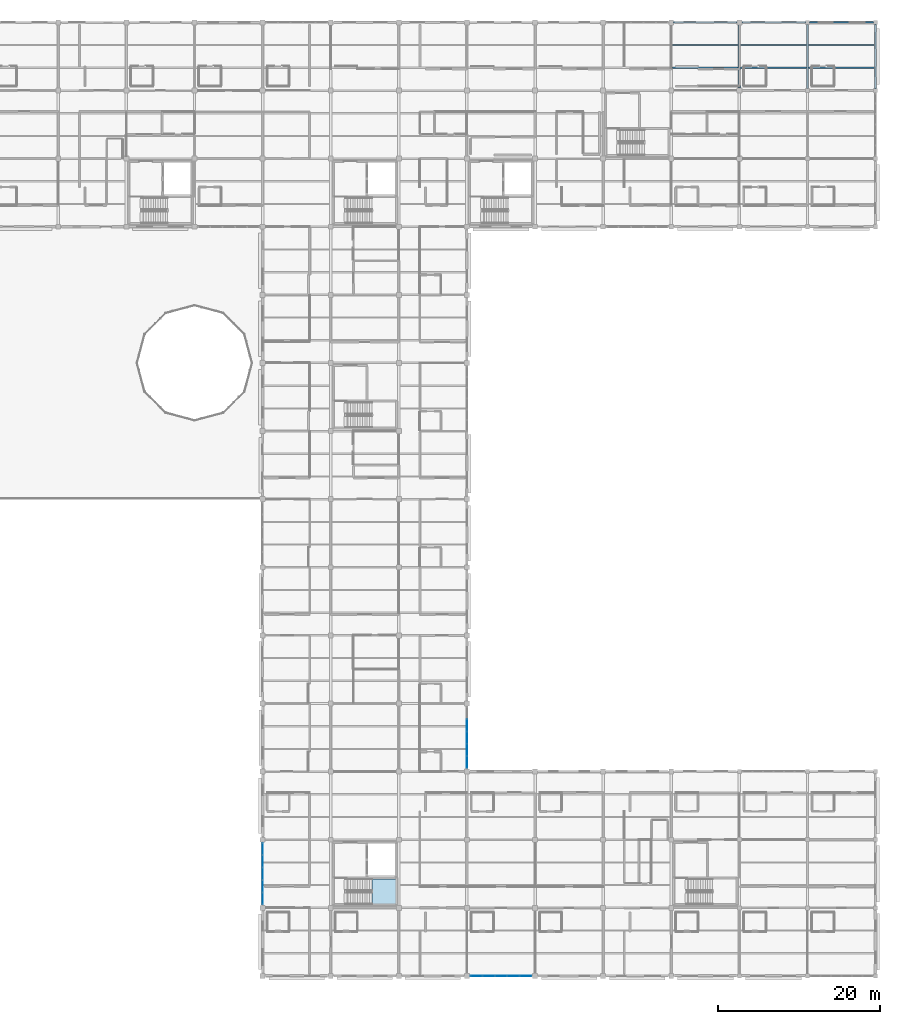
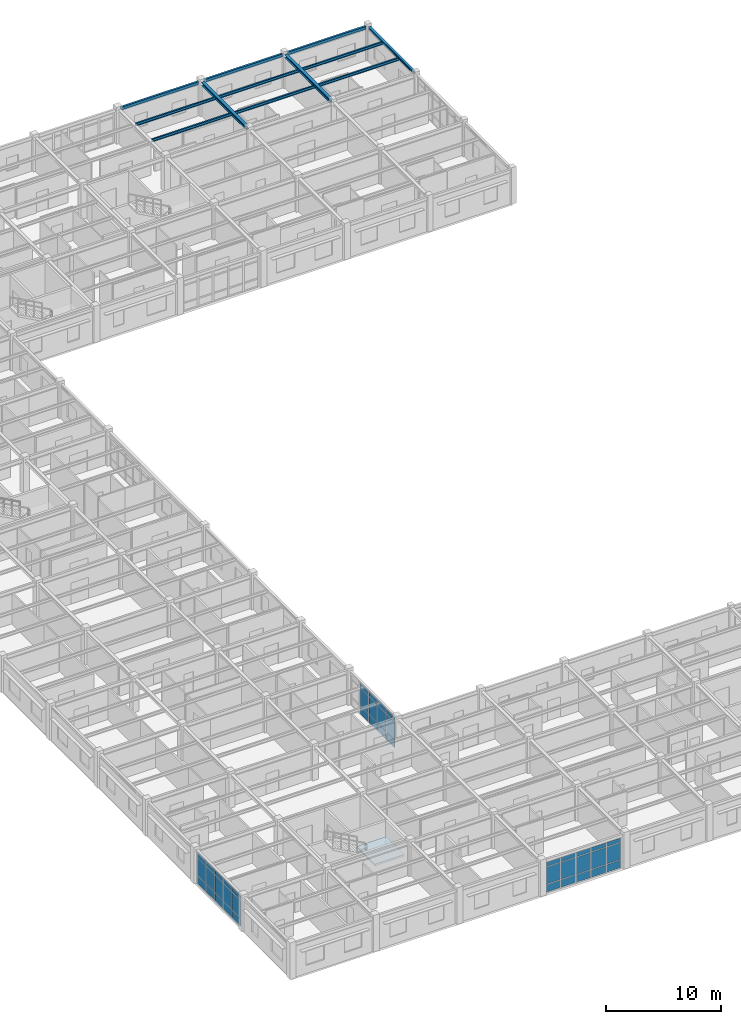
# One storey, part 44 of 86: 42 plates, 12 beams, 1 slab, 4 elements without a shape of their own.
"""IFC4 building model written with IfcOpenShell, lengths in metres."""

from ifc_helpers import new_model, si_unit, direction, frame, origin, origin_2d, place, context, subcontext, project, spatial, polyline, rectangle, hollow_rectangle, i_section, outline, extrude, material, layer, layer_set, material_profile, profile_set, type_object, element, aggregate, save


model = new_model("IFC4")

# Units and contexts
model_context = context("Model", 3, precision=1e-05, world=origin(), true_north=direction((0.0, 1.0)))
body_context = subcontext(model_context, "Body", "Model", "MODEL_VIEW")
ifc_project = project(units=[si_unit("LENGTHUNIT", "METRE"), si_unit("AREAUNIT", "SQUARE_METRE"), si_unit("VOLUMEUNIT", "CUBIC_METRE"), si_unit("PLANEANGLEUNIT", "RADIAN"), si_unit("MASSUNIT", "GRAM", prefix="KILO")], contexts=[model_context])

# Site, building, storey
site_placement = place(None, origin())
site = spatial("IfcSite", under=ifc_project, at=site_placement, CompositionType="ELEMENT")
building_placement = place(site_placement, origin())
building = spatial("IfcBuilding", under=site, at=building_placement, Name="Bramfleet General Hospital", CompositionType="ELEMENT")
storey_placement = place(building_placement, frame((0.0, 0.0, 18.60009765625)))
storey = spatial("IfcBuildingStorey", under=building, at=storey_placement, Name="L04", CompositionType="ELEMENT", Elevation=18.60009765625)

# Beams
ifc_material_1 = material(Name="Steel S355", Category="steel")
ifc_material_profile_1 = material_profile(ifc_material_1, i_section(OverallWidth=0.239990234375, OverallDepth=0.22998046875, WebThickness=0.007568359375, FlangeThickness=0.011962890625, FilletRadius=0.02099609375, at=origin_2d()), Name="HEA 240")
ifc_profile_set_1 = profile_set([ifc_material_profile_1], Name="Steel S355")
beam_type_1 = type_object("IfcBeamType", Name="BM-HEA240", PredefinedType="SPANDREL", material=ifc_profile_set_1)
beam_1_placement = place(storey_placement, frame((168.0, 109.449951171875, 3.494873046875), z_axis=(0.0, 1.0, 0.0), x_axis=(-1.0, 0.0, 0.0)))
element("IfcBeam", 1, at=beam_1_placement, inside=storey, type_object=beam_type_1, Name="L04 Grid Beam Y 20-13", PredefinedType="SPANDREL", context=body_context, shape_type="SweptSolid", body=[
    extrude(i_section(OverallWidth=0.239990234375, OverallDepth=0.22998046875, WebThickness=0.007568359375, FlangeThickness=0.011962890625, FilletRadius=0.02099609375, at=origin_2d()), origin(), (0.0, 0.0, 1.0), 7.900146484375),
])
ifc_material_profile_2 = material_profile(ifc_material_1, i_section(OverallWidth=0.300048828125, OverallDepth=0.35009765625, WebThickness=0.010009765625, FlangeThickness=0.017578125, FilletRadius=0.027099609375, at=origin_2d()), Name="HEA 360")
ifc_profile_set_2 = profile_set([ifc_material_profile_2], Name="Steel S355")
beam_type_2 = type_object("IfcBeamType", Name="BM-HEA360", PredefinedType="BEAM", material=ifc_profile_set_2)
beam_2_placement = place(storey_placement, frame((151.199951171875, 109.5, 3.44482421875), z_axis=(0.0, 1.0, 0.0), x_axis=(-1.0, 0.0, 0.0)))
element("IfcBeam", 2, at=beam_2_placement, inside=storey, type_object=beam_type_2, Name="L04 Grid Beam Y 18-13", PredefinedType="BEAM", context=body_context, shape_type="SweptSolid", body=[
    extrude(i_section(OverallWidth=0.300048828125, OverallDepth=0.35009765625, WebThickness=0.010009765625, FlangeThickness=0.017578125, FilletRadius=0.027099609375, at=origin_2d()), origin(), (0.0, 0.0, 1.0), 7.800048828125),
])
beam_3_placement = place(storey_placement, frame((159.60009765625, 109.449951171875, 3.434814453125), z_axis=(0.0, 1.0, 0.0), x_axis=(-1.0, 0.0, 0.0)))
element("IfcBeam", 3, at=beam_3_placement, inside=storey, type_object=beam_type_2, Name="L04 Grid Beam Y 19-13", PredefinedType="BEAM", context=body_context, shape_type="SweptSolid", body=[
    extrude(i_section(OverallWidth=0.300048828125, OverallDepth=0.35009765625, WebThickness=0.010009765625, FlangeThickness=0.017578125, FilletRadius=0.027099609375, at=origin_2d()), origin(), (0.0, 0.0, 1.0), 7.900146484375),
])
ifc_material_profile_3 = material_profile(ifc_material_1, i_section(OverallWidth=0.14990234375, OverallDepth=0.300048828125, WebThickness=0.007080078125, FlangeThickness=0.0107421875, FilletRadius=0.014892578125, at=origin_2d()), Name="IPE 300")
ifc_profile_set_3 = profile_set([ifc_material_profile_3], Name="Steel S355")
beam_type_3 = type_object("IfcBeamType", Name="BM-IPE300", PredefinedType="JOIST", material=ifc_profile_set_3)
for number, where, z_axis, x_axis, name in (
    (4, (142.949951171875, 112.0, 3.469970703125), (1.0, 0.0, 0.0), (0.0, 1.0, 0.0), "L04 Secondary Joist 17-13-1"),
    (5, (142.949951171875, 114.800048828125, 3.469970703125), (1.0, 0.0, 0.0), (0.0, 1.0, 0.0), "L04 Secondary Joist 17-13-2"),
):
    element("IfcBeam", number, at=place(storey_placement, frame(where, z_axis=z_axis, x_axis=x_axis)), inside=storey, type_object=beam_type_3, Name=name, PredefinedType="JOIST", context=body_context, shape_type="SweptSolid", body=[
        extrude(i_section(OverallWidth=0.14990234375, OverallDepth=0.300048828125, WebThickness=0.007080078125, FlangeThickness=0.0107421875, FilletRadius=0.014892578125, at=origin_2d()), origin(), (0.0, 0.0, 1.0), 8.10009765625),
    ])
for number, where, z_axis, x_axis, name in (
    (6, (151.35009765625, 112.0, 3.469970703125), (1.0, 0.0, 0.0), (0.0, 1.0, 0.0), "L04 Secondary Joist 18-13-1"),
    (7, (151.35009765625, 114.800048828125, 3.469970703125), (1.0, 0.0, 0.0), (0.0, 1.0, 0.0), "L04 Secondary Joist 18-13-2"),
):
    element("IfcBeam", number, at=place(storey_placement, frame(where, z_axis=z_axis, x_axis=x_axis)), inside=storey, type_object=beam_type_3, Name=name, PredefinedType="JOIST", context=body_context, shape_type="SweptSolid", body=[
        extrude(i_section(OverallWidth=0.14990234375, OverallDepth=0.300048828125, WebThickness=0.007080078125, FlangeThickness=0.0107421875, FilletRadius=0.014892578125, at=origin_2d()), origin(), (0.0, 0.0, 1.0), 8.099853515625),
    ])
for number, where, z_axis, x_axis, name in (
    (8, (159.75, 112.0, 3.4599609375), (1.0, 0.0, 0.0), (0.0, 1.0, 0.0), "L04 Secondary Joist 19-13-1"),
    (9, (159.75, 114.800048828125, 3.4599609375), (1.0, 0.0, 0.0), (0.0, 1.0, 0.0), "L04 Secondary Joist 19-13-2"),
):
    element("IfcBeam", number, at=place(storey_placement, frame(where, z_axis=z_axis, x_axis=x_axis)), inside=storey, type_object=beam_type_3, Name=name, PredefinedType="JOIST", context=body_context, shape_type="SweptSolid", body=[
        extrude(i_section(OverallWidth=0.14990234375, OverallDepth=0.300048828125, WebThickness=0.007080078125, FlangeThickness=0.0107421875, FilletRadius=0.014892578125, at=origin_2d()), origin(), (0.0, 0.0, 1.0), 8.1298828125),
    ])
ifc_material_profile_4 = material_profile(ifc_material_1, hollow_rectangle(XDim=0.199951171875, YDim=0.300048828125, WallThickness=0.012451171875, at=origin_2d()), Name="RHS 300x200x12.5")
ifc_profile_set_4 = profile_set([ifc_material_profile_4], Name="Steel S355")
beam_type_4 = type_object("IfcBeamType", Name="BM-RHS300", PredefinedType="SPANDREL", material=ifc_profile_set_4)
beam_4_placement = place(storey_placement, frame((143.10009765625, 117.60009765625, 3.469970703125), z_axis=(1.0, 0.0, 0.0), x_axis=(0.0, 1.0, 0.0)))
element("IfcBeam", 10, at=beam_4_placement, inside=storey, type_object=beam_type_4, Name="L04 Grid Beam X 17-14", PredefinedType="SPANDREL", context=body_context, shape_type="SweptSolid", body=[
    extrude(hollow_rectangle(XDim=0.199951171875, YDim=0.300048828125, WallThickness=0.012451171875, at=origin_2d()), origin(), (0.0, 0.0, 1.0), 7.7998046875),
])
beam_5_placement = place(storey_placement, frame((151.5, 117.60009765625, 3.469970703125), z_axis=(1.0, 0.0, 0.0), x_axis=(0.0, 1.0, 0.0)))
element("IfcBeam", 11, at=beam_5_placement, inside=storey, type_object=beam_type_4, Name="L04 Grid Beam X 18-14", PredefinedType="SPANDREL", context=body_context, shape_type="SweptSolid", body=[
    extrude(hollow_rectangle(XDim=0.199951171875, YDim=0.300048828125, WallThickness=0.012451171875, at=origin_2d()), origin(), (0.0, 0.0, 1.0), 7.85009765625),
])
beam_6_placement = place(storey_placement, frame((159.85009765625, 117.60009765625, 3.4599609375), z_axis=(1.0, 0.0, 0.0), x_axis=(0.0, 1.0, 0.0)))
element("IfcBeam", 12, at=beam_6_placement, inside=storey, type_object=beam_type_4, Name="L04 Grid Beam X 19-14", PredefinedType="SPANDREL", context=body_context, shape_type="SweptSolid", body=[
    extrude(hollow_rectangle(XDim=0.199951171875, YDim=0.300048828125, WallThickness=0.012451171875, at=origin_2d()), origin(), (0.0, 0.0, 1.0), 7.89990234375),
])

# Curtain wall, plates
ifc_material_2 = material(Name="Anodised aluminium and low-E triple glazing", Category="aluminium")
ifc_layer_1 = layer(ifc_material_2, 0.179931640625, Name="CWT-CW-13")
ifc_layer_set_1 = layer_set([ifc_layer_1], Name="Anodised aluminium and low-E triple glazing")
curtain_wall_type_1 = type_object("IfcCurtainWallType", Name="CWT-CW-13", PredefinedType="USERDEFINED", material=ifc_layer_set_1)
curtain_wall_1_placement = place(storey_placement, origin())
curtain_wall_1 = element("IfcCurtainWall", 13, at=curtain_wall_1_placement, inside=storey, type_object=curtain_wall_type_1, Name="L04 Curtain Wall 193", ObjectType="Stick curtain wall", PredefinedType="USERDEFINED")
ifc_material_3 = material(Name="Low-E laminated safety glass", Category="glass")
ifc_layer_2 = layer(ifc_material_3, 0.028076171875, Name="CWP-GLZ-1")
ifc_layer_set_2 = layer_set([ifc_layer_2], Name="Low-E laminated safety glass")
plate_type_1 = type_object("IfcPlateType", Name="CWP-GLZ-1", PredefinedType="CURTAIN_PANEL", material=ifc_layer_set_2)
plate_1_placement = place(storey_placement, frame((117.60009765625, 30.929931640625, 0.06494140625), z_axis=(0.0, 0.0, 1.0), x_axis=(0.0, -1.0, 0.0)))
plate_1 = element("IfcPlate", 14, at=plate_1_placement, type_object=plate_type_1, Name="CW-13 panel 2.1", PredefinedType="CURTAIN_PANEL", context=body_context, shape_type="SweptSolid", body=[
    extrude(rectangle(XDim=1.4599609375, YDim=0.028076171875, at=origin_2d()), origin(), (0.0, 0.0, 1.0), 0.802490234375),
])
plate_2_placement = place(storey_placement, frame((117.60009765625, 30.929931640625, 0.9326171875), z_axis=(0.0, 0.0, 1.0), x_axis=(0.0, -1.0, 0.0)))
plate_2 = element("IfcPlate", 15, at=plate_2_placement, type_object=plate_type_1, Name="CW-13 panel 2.2", PredefinedType="CURTAIN_PANEL", context=body_context, shape_type="SweptSolid", body=[
    extrude(rectangle(XDim=1.4599609375, YDim=0.028076171875, at=origin_2d()), origin(), (0.0, 0.0, 1.0), 1.864990234375),
])
plate_3_placement = place(storey_placement, frame((117.60009765625, 30.929931640625, 2.8623046875), z_axis=(0.0, 0.0, 1.0), x_axis=(0.0, -1.0, 0.0)))
plate_3 = element("IfcPlate", 16, at=plate_3_placement, type_object=plate_type_1, Name="CW-13 panel 2.3", PredefinedType="CURTAIN_PANEL", context=body_context, shape_type="SweptSolid", body=[
    extrude(rectangle(XDim=1.4599609375, YDim=0.028076171875, at=origin_2d()), origin(), (0.0, 0.0, 1.0), 0.452392578125),
])
plate_4_placement = place(storey_placement, frame((117.60009765625, 29.39990234375, 0.06494140625), z_axis=(0.0, 0.0, 1.0), x_axis=(0.0, -1.0, 0.0)))
plate_4 = element("IfcPlate", 17, at=plate_4_placement, type_object=plate_type_1, Name="CW-13 panel 3.1", PredefinedType="CURTAIN_PANEL", context=body_context, shape_type="SweptSolid", body=[
    extrude(rectangle(XDim=1.4599609375, YDim=0.028076171875, at=origin_2d()), origin(), (0.0, 0.0, 1.0), 0.802490234375),
])
plate_5_placement = place(storey_placement, frame((117.60009765625, 29.39990234375, 0.9326171875), z_axis=(0.0, 0.0, 1.0), x_axis=(0.0, -1.0, 0.0)))
plate_5 = element("IfcPlate", 18, at=plate_5_placement, type_object=plate_type_1, Name="CW-13 panel 3.2", PredefinedType="CURTAIN_PANEL", context=body_context, shape_type="SweptSolid", body=[
    extrude(rectangle(XDim=1.4599609375, YDim=0.028076171875, at=origin_2d()), origin(), (0.0, 0.0, 1.0), 1.864990234375),
])
plate_6_placement = place(storey_placement, frame((117.60009765625, 29.39990234375, 2.8623046875), z_axis=(0.0, 0.0, 1.0), x_axis=(0.0, -1.0, 0.0)))
plate_6 = element("IfcPlate", 19, at=plate_6_placement, type_object=plate_type_1, Name="CW-13 panel 3.3", PredefinedType="CURTAIN_PANEL", context=body_context, shape_type="SweptSolid", body=[
    extrude(rectangle(XDim=1.4599609375, YDim=0.028076171875, at=origin_2d()), origin(), (0.0, 0.0, 1.0), 0.452392578125),
])
plate_7_placement = place(storey_placement, frame((117.60009765625, 27.8701171875, 0.06494140625), z_axis=(0.0, 0.0, 1.0), x_axis=(0.0, -1.0, 0.0)))
plate_7 = element("IfcPlate", 20, at=plate_7_placement, type_object=plate_type_1, Name="CW-13 panel 4.1", PredefinedType="CURTAIN_PANEL", context=body_context, shape_type="SweptSolid", body=[
    extrude(rectangle(XDim=1.4599609375, YDim=0.028076171875, at=origin_2d()), origin(), (0.0, 0.0, 1.0), 0.802490234375),
])
plate_8_placement = place(storey_placement, frame((117.60009765625, 27.8701171875, 0.9326171875), z_axis=(0.0, 0.0, 1.0), x_axis=(0.0, -1.0, 0.0)))
plate_8 = element("IfcPlate", 21, at=plate_8_placement, type_object=plate_type_1, Name="CW-13 panel 4.2", PredefinedType="CURTAIN_PANEL", context=body_context, shape_type="SweptSolid", body=[
    extrude(rectangle(XDim=1.4599609375, YDim=0.028076171875, at=origin_2d()), origin(), (0.0, 0.0, 1.0), 1.864990234375),
])
plate_9_placement = place(storey_placement, frame((117.60009765625, 27.8701171875, 2.8623046875), z_axis=(0.0, 0.0, 1.0), x_axis=(0.0, -1.0, 0.0)))
plate_9 = element("IfcPlate", 22, at=plate_9_placement, type_object=plate_type_1, Name="CW-13 panel 4.3", PredefinedType="CURTAIN_PANEL", context=body_context, shape_type="SweptSolid", body=[
    extrude(rectangle(XDim=1.4599609375, YDim=0.028076171875, at=origin_2d()), origin(), (0.0, 0.0, 1.0), 0.452392578125),
])
plate_10_placement = place(storey_placement, frame((117.60009765625, 26.357421875, 0.06494140625), z_axis=(0.0, 0.0, 1.0), x_axis=(0.0, -1.0, 0.0)))
plate_10 = element("IfcPlate", 23, at=plate_10_placement, type_object=plate_type_1, Name="CW-13 panel 5.1", PredefinedType="CURTAIN_PANEL", context=body_context, shape_type="SweptSolid", body=[
    extrude(rectangle(XDim=1.425048828125, YDim=0.028076171875, at=origin_2d()), origin(), (0.0, 0.0, 1.0), 0.802490234375),
])
plate_11_placement = place(storey_placement, frame((117.60009765625, 26.357421875, 0.9326171875), z_axis=(0.0, 0.0, 1.0), x_axis=(0.0, -1.0, 0.0)))
plate_11 = element("IfcPlate", 24, at=plate_11_placement, type_object=plate_type_1, Name="CW-13 panel 5.2", PredefinedType="CURTAIN_PANEL", context=body_context, shape_type="SweptSolid", body=[
    extrude(rectangle(XDim=1.425048828125, YDim=0.028076171875, at=origin_2d()), origin(), (0.0, 0.0, 1.0), 1.864990234375),
])
plate_12_placement = place(storey_placement, frame((117.60009765625, 26.357421875, 2.8623046875), z_axis=(0.0, 0.0, 1.0), x_axis=(0.0, -1.0, 0.0)))
plate_12 = element("IfcPlate", 25, at=plate_12_placement, type_object=plate_type_1, Name="CW-13 panel 5.3", PredefinedType="CURTAIN_PANEL", context=body_context, shape_type="SweptSolid", body=[
    extrude(rectangle(XDim=1.425048828125, YDim=0.028076171875, at=origin_2d()), origin(), (0.0, 0.0, 1.0), 0.452392578125),
])
aggregate(curtain_wall_1, [plate_1, plate_2, plate_3, plate_4, plate_5, plate_6, plate_7, plate_8, plate_9, plate_10, plate_11, plate_12])

ifc_layer_3 = layer(ifc_material_2, 0.179931640625, Name="CWT-CW-17")
ifc_layer_set_3 = layer_set([ifc_layer_3], Name="Anodised aluminium and low-E triple glazing")
curtain_wall_type_2 = type_object("IfcCurtainWallType", Name="CWT-CW-17", PredefinedType="USERDEFINED", material=ifc_layer_set_3)
curtain_wall_2_placement = place(storey_placement, origin())
curtain_wall_2 = element("IfcCurtainWall", 26, at=curtain_wall_2_placement, inside=storey, type_object=curtain_wall_type_2, Name="L04 Curtain Wall 197", ObjectType="Stick curtain wall", PredefinedType="USERDEFINED")
plate_13_placement = place(storey_placement, frame((92.39990234375, 9.5576171875, 0.06494140625), z_axis=(0.0, 0.0, 1.0), x_axis=(0.0, 1.0, 0.0)))
plate_13 = element("IfcPlate", 27, at=plate_13_placement, type_object=plate_type_1, Name="CW-17 panel 1.1", PredefinedType="CURTAIN_PANEL", context=body_context, shape_type="SweptSolid", body=[
    extrude(rectangle(XDim=1.425048828125, YDim=0.028076171875, at=origin_2d()), origin(), (0.0, 0.0, 1.0), 0.802490234375),
])
plate_14_placement = place(storey_placement, frame((92.39990234375, 9.5576171875, 0.9326171875), z_axis=(0.0, 0.0, 1.0), x_axis=(0.0, 1.0, 0.0)))
plate_14 = element("IfcPlate", 28, at=plate_14_placement, type_object=plate_type_1, Name="CW-17 panel 1.2", PredefinedType="CURTAIN_PANEL", context=body_context, shape_type="SweptSolid", body=[
    extrude(rectangle(XDim=1.425048828125, YDim=0.028076171875, at=origin_2d()), origin(), (0.0, 0.0, 1.0), 1.864990234375),
])
plate_15_placement = place(storey_placement, frame((92.39990234375, 9.5576171875, 2.8623046875), z_axis=(0.0, 0.0, 1.0), x_axis=(0.0, 1.0, 0.0)))
plate_15 = element("IfcPlate", 29, at=plate_15_placement, type_object=plate_type_1, Name="CW-17 panel 1.3", PredefinedType="CURTAIN_PANEL", context=body_context, shape_type="SweptSolid", body=[
    extrude(rectangle(XDim=1.425048828125, YDim=0.028076171875, at=origin_2d()), origin(), (0.0, 0.0, 1.0), 0.452392578125),
])
plate_16_placement = place(storey_placement, frame((92.39990234375, 11.070068359375, 0.06494140625), z_axis=(0.0, 0.0, 1.0), x_axis=(0.0, 1.0, 0.0)))
plate_16 = element("IfcPlate", 30, at=plate_16_placement, type_object=plate_type_1, Name="CW-17 panel 2.1", PredefinedType="CURTAIN_PANEL", context=body_context, shape_type="SweptSolid", body=[
    extrude(rectangle(XDim=1.4599609375, YDim=0.028076171875, at=origin_2d()), origin(), (0.0, 0.0, 1.0), 0.802490234375),
])
plate_17_placement = place(storey_placement, frame((92.39990234375, 11.070068359375, 0.9326171875), z_axis=(0.0, 0.0, 1.0), x_axis=(0.0, 1.0, 0.0)))
plate_17 = element("IfcPlate", 31, at=plate_17_placement, type_object=plate_type_1, Name="CW-17 panel 2.2", PredefinedType="CURTAIN_PANEL", context=body_context, shape_type="SweptSolid", body=[
    extrude(rectangle(XDim=1.4599609375, YDim=0.028076171875, at=origin_2d()), origin(), (0.0, 0.0, 1.0), 1.864990234375),
])
plate_18_placement = place(storey_placement, frame((92.39990234375, 11.070068359375, 2.8623046875), z_axis=(0.0, 0.0, 1.0), x_axis=(0.0, 1.0, 0.0)))
plate_18 = element("IfcPlate", 32, at=plate_18_placement, type_object=plate_type_1, Name="CW-17 panel 2.3", PredefinedType="CURTAIN_PANEL", context=body_context, shape_type="SweptSolid", body=[
    extrude(rectangle(XDim=1.4599609375, YDim=0.028076171875, at=origin_2d()), origin(), (0.0, 0.0, 1.0), 0.452392578125),
])
plate_19_placement = place(storey_placement, frame((92.39990234375, 12.60009765625, 0.06494140625), z_axis=(0.0, 0.0, 1.0), x_axis=(0.0, 1.0, 0.0)))
plate_19 = element("IfcPlate", 33, at=plate_19_placement, type_object=plate_type_1, Name="CW-17 panel 3.1", PredefinedType="CURTAIN_PANEL", context=body_context, shape_type="SweptSolid", body=[
    extrude(rectangle(XDim=1.4599609375, YDim=0.028076171875, at=origin_2d()), origin(), (0.0, 0.0, 1.0), 0.802490234375),
])
plate_20_placement = place(storey_placement, frame((92.39990234375, 12.60009765625, 0.9326171875), z_axis=(0.0, 0.0, 1.0), x_axis=(0.0, 1.0, 0.0)))
plate_20 = element("IfcPlate", 34, at=plate_20_placement, type_object=plate_type_1, Name="CW-17 panel 3.2", PredefinedType="CURTAIN_PANEL", context=body_context, shape_type="SweptSolid", body=[
    extrude(rectangle(XDim=1.4599609375, YDim=0.028076171875, at=origin_2d()), origin(), (0.0, 0.0, 1.0), 1.864990234375),
])
plate_21_placement = place(storey_placement, frame((92.39990234375, 12.60009765625, 2.8623046875), z_axis=(0.0, 0.0, 1.0), x_axis=(0.0, 1.0, 0.0)))
plate_21 = element("IfcPlate", 35, at=plate_21_placement, type_object=plate_type_1, Name="CW-17 panel 3.3", PredefinedType="CURTAIN_PANEL", context=body_context, shape_type="SweptSolid", body=[
    extrude(rectangle(XDim=1.4599609375, YDim=0.028076171875, at=origin_2d()), origin(), (0.0, 0.0, 1.0), 0.452392578125),
])
plate_22_placement = place(storey_placement, frame((92.39990234375, 14.1298828125, 0.06494140625), z_axis=(0.0, 0.0, 1.0), x_axis=(0.0, 1.0, 0.0)))
plate_22 = element("IfcPlate", 36, at=plate_22_placement, type_object=plate_type_1, Name="CW-17 panel 4.1", PredefinedType="CURTAIN_PANEL", context=body_context, shape_type="SweptSolid", body=[
    extrude(rectangle(XDim=1.4599609375, YDim=0.028076171875, at=origin_2d()), origin(), (0.0, 0.0, 1.0), 0.802490234375),
])
plate_23_placement = place(storey_placement, frame((92.39990234375, 14.1298828125, 0.9326171875), z_axis=(0.0, 0.0, 1.0), x_axis=(0.0, 1.0, 0.0)))
plate_23 = element("IfcPlate", 37, at=plate_23_placement, type_object=plate_type_1, Name="CW-17 panel 4.2", PredefinedType="CURTAIN_PANEL", context=body_context, shape_type="SweptSolid", body=[
    extrude(rectangle(XDim=1.4599609375, YDim=0.028076171875, at=origin_2d()), origin(), (0.0, 0.0, 1.0), 1.864990234375),
])
plate_24_placement = place(storey_placement, frame((92.39990234375, 14.1298828125, 2.8623046875), z_axis=(0.0, 0.0, 1.0), x_axis=(0.0, 1.0, 0.0)))
plate_24 = element("IfcPlate", 38, at=plate_24_placement, type_object=plate_type_1, Name="CW-17 panel 4.3", PredefinedType="CURTAIN_PANEL", context=body_context, shape_type="SweptSolid", body=[
    extrude(rectangle(XDim=1.4599609375, YDim=0.028076171875, at=origin_2d()), origin(), (0.0, 0.0, 1.0), 0.452392578125),
])
plate_25_placement = place(storey_placement, frame((92.39990234375, 15.642578125, 0.06494140625), z_axis=(0.0, 0.0, 1.0), x_axis=(0.0, 1.0, 0.0)))
plate_25 = element("IfcPlate", 39, at=plate_25_placement, type_object=plate_type_1, Name="CW-17 panel 5.1", PredefinedType="CURTAIN_PANEL", context=body_context, shape_type="SweptSolid", body=[
    extrude(rectangle(XDim=1.425048828125, YDim=0.028076171875, at=origin_2d()), origin(), (0.0, 0.0, 1.0), 0.802490234375),
])
plate_26_placement = place(storey_placement, frame((92.39990234375, 15.642578125, 0.9326171875), z_axis=(0.0, 0.0, 1.0), x_axis=(0.0, 1.0, 0.0)))
plate_26 = element("IfcPlate", 40, at=plate_26_placement, type_object=plate_type_1, Name="CW-17 panel 5.2", PredefinedType="CURTAIN_PANEL", context=body_context, shape_type="SweptSolid", body=[
    extrude(rectangle(XDim=1.425048828125, YDim=0.028076171875, at=origin_2d()), origin(), (0.0, 0.0, 1.0), 1.864990234375),
])
plate_27_placement = place(storey_placement, frame((92.39990234375, 15.642578125, 2.8623046875), z_axis=(0.0, 0.0, 1.0), x_axis=(0.0, 1.0, 0.0)))
plate_27 = element("IfcPlate", 41, at=plate_27_placement, type_object=plate_type_1, Name="CW-17 panel 5.3", PredefinedType="CURTAIN_PANEL", context=body_context, shape_type="SweptSolid", body=[
    extrude(rectangle(XDim=1.425048828125, YDim=0.028076171875, at=origin_2d()), origin(), (0.0, 0.0, 1.0), 0.452392578125),
])
aggregate(curtain_wall_2, [plate_13, plate_14, plate_15, plate_16, plate_17, plate_18, plate_19, plate_20, plate_21, plate_22, plate_23, plate_24, plate_25, plate_26, plate_27])

ifc_layer_4 = layer(ifc_material_2, 0.179931640625, Name="CWT-CW-16")
ifc_layer_set_4 = layer_set([ifc_layer_4], Name="Anodised aluminium and low-E triple glazing")
curtain_wall_type_3 = type_object("IfcCurtainWallType", Name="CWT-CW-16", PredefinedType="USERDEFINED", material=ifc_layer_set_4)
curtain_wall_3_placement = place(storey_placement, origin())
curtain_wall_3 = element("IfcCurtainWall", 42, at=curtain_wall_3_placement, inside=storey, type_object=curtain_wall_type_3, Name="L04 Curtain Wall 196", ObjectType="Stick curtain wall", PredefinedType="USERDEFINED")
ifc_layer_5 = layer(ifc_material_3, 0.0419921875, Name="CWP-GLZ-4")
ifc_layer_set_5 = layer_set([ifc_layer_5], Name="Low-E laminated safety glass")
plate_type_2 = type_object("IfcPlateType", Name="CWP-GLZ-4", PredefinedType="CURTAIN_PANEL", material=ifc_layer_set_5)
plate_28_placement = place(storey_placement, frame((124.842529296875, 0.0, 0.06494140625), z_axis=(0.0, 0.0, 1.0), x_axis=(-1.0, 0.0, 0.0)))
plate_28 = element("IfcPlate", 43, at=plate_28_placement, type_object=plate_type_2, Name="CW-16 panel 1.1", PredefinedType="CURTAIN_PANEL", context=body_context, shape_type="SweptSolid", body=[
    extrude(rectangle(XDim=1.425048828125, YDim=0.0419921875, at=origin_2d()), origin(), (0.0, 0.0, 1.0), 0.802490234375),
])
plate_29_placement = place(storey_placement, frame((124.842529296875, 0.0, 0.932373046875), z_axis=(0.0, 0.0, 1.0), x_axis=(-1.0, 0.0, 0.0)))
plate_29 = element("IfcPlate", 44, at=plate_29_placement, type_object=plate_type_2, Name="CW-16 panel 1.2", PredefinedType="CURTAIN_PANEL", context=body_context, shape_type="SweptSolid", body=[
    extrude(rectangle(XDim=1.425048828125, YDim=0.0419921875, at=origin_2d()), origin(), (0.0, 0.0, 1.0), 1.794921875),
])
plate_30_placement = place(storey_placement, frame((124.842529296875, 0.0, 2.79248046875), z_axis=(0.0, 0.0, 1.0), x_axis=(-1.0, 0.0, 0.0)))
plate_30 = element("IfcPlate", 45, at=plate_30_placement, type_object=plate_type_2, Name="CW-16 panel 1.3", PredefinedType="CURTAIN_PANEL", context=body_context, shape_type="SweptSolid", body=[
    extrude(rectangle(XDim=1.425048828125, YDim=0.0419921875, at=origin_2d()), origin(), (0.0, 0.0, 1.0), 0.452392578125),
])
plate_31_placement = place(storey_placement, frame((123.330078125, 0.0, 0.06494140625), z_axis=(0.0, 0.0, 1.0), x_axis=(-1.0, 0.0, 0.0)))
plate_31 = element("IfcPlate", 46, at=plate_31_placement, type_object=plate_type_2, Name="CW-16 panel 2.1", PredefinedType="CURTAIN_PANEL", context=body_context, shape_type="SweptSolid", body=[
    extrude(rectangle(XDim=1.4599609375, YDim=0.0419921875, at=origin_2d()), origin(), (0.0, 0.0, 1.0), 0.802490234375),
])
plate_32_placement = place(storey_placement, frame((123.330078125, 0.0, 0.932373046875), z_axis=(0.0, 0.0, 1.0), x_axis=(-1.0, 0.0, 0.0)))
plate_32 = element("IfcPlate", 47, at=plate_32_placement, type_object=plate_type_2, Name="CW-16 panel 2.2", PredefinedType="CURTAIN_PANEL", context=body_context, shape_type="SweptSolid", body=[
    extrude(rectangle(XDim=1.4599609375, YDim=0.0419921875, at=origin_2d()), origin(), (0.0, 0.0, 1.0), 1.794921875),
])
plate_33_placement = place(storey_placement, frame((123.330078125, 0.0, 2.79248046875), z_axis=(0.0, 0.0, 1.0), x_axis=(-1.0, 0.0, 0.0)))
plate_33 = element("IfcPlate", 48, at=plate_33_placement, type_object=plate_type_2, Name="CW-16 panel 2.3", PredefinedType="CURTAIN_PANEL", context=body_context, shape_type="SweptSolid", body=[
    extrude(rectangle(XDim=1.4599609375, YDim=0.0419921875, at=origin_2d()), origin(), (0.0, 0.0, 1.0), 0.452392578125),
])
plate_34_placement = place(storey_placement, frame((121.800048828125, 0.0, 0.06494140625), z_axis=(0.0, 0.0, 1.0), x_axis=(-1.0, 0.0, 0.0)))
plate_34 = element("IfcPlate", 49, at=plate_34_placement, type_object=plate_type_2, Name="CW-16 panel 3.1", PredefinedType="CURTAIN_PANEL", context=body_context, shape_type="SweptSolid", body=[
    extrude(rectangle(XDim=1.4599609375, YDim=0.0419921875, at=origin_2d()), origin(), (0.0, 0.0, 1.0), 0.802490234375),
])
plate_35_placement = place(storey_placement, frame((121.800048828125, 0.0, 0.932373046875), z_axis=(0.0, 0.0, 1.0), x_axis=(-1.0, 0.0, 0.0)))
plate_35 = element("IfcPlate", 50, at=plate_35_placement, type_object=plate_type_2, Name="CW-16 panel 3.2", PredefinedType="CURTAIN_PANEL", context=body_context, shape_type="SweptSolid", body=[
    extrude(rectangle(XDim=1.4599609375, YDim=0.0419921875, at=origin_2d()), origin(), (0.0, 0.0, 1.0), 1.794921875),
])
plate_36_placement = place(storey_placement, frame((121.800048828125, 0.0, 2.79248046875), z_axis=(0.0, 0.0, 1.0), x_axis=(-1.0, 0.0, 0.0)))
plate_36 = element("IfcPlate", 51, at=plate_36_placement, type_object=plate_type_2, Name="CW-16 panel 3.3", PredefinedType="CURTAIN_PANEL", context=body_context, shape_type="SweptSolid", body=[
    extrude(rectangle(XDim=1.4599609375, YDim=0.0419921875, at=origin_2d()), origin(), (0.0, 0.0, 1.0), 0.452392578125),
])
plate_37_placement = place(storey_placement, frame((120.27001953125, 0.0, 0.06494140625), z_axis=(0.0, 0.0, 1.0), x_axis=(-1.0, 0.0, 0.0)))
plate_37 = element("IfcPlate", 52, at=plate_37_placement, type_object=plate_type_2, Name="CW-16 panel 4.1", PredefinedType="CURTAIN_PANEL", context=body_context, shape_type="SweptSolid", body=[
    extrude(rectangle(XDim=1.4599609375, YDim=0.0419921875, at=origin_2d()), origin(), (0.0, 0.0, 1.0), 0.802490234375),
])
plate_38_placement = place(storey_placement, frame((120.27001953125, 0.0, 0.932373046875), z_axis=(0.0, 0.0, 1.0), x_axis=(-1.0, 0.0, 0.0)))
plate_38 = element("IfcPlate", 53, at=plate_38_placement, type_object=plate_type_2, Name="CW-16 panel 4.2", PredefinedType="CURTAIN_PANEL", context=body_context, shape_type="SweptSolid", body=[
    extrude(rectangle(XDim=1.4599609375, YDim=0.0419921875, at=origin_2d()), origin(), (0.0, 0.0, 1.0), 1.794921875),
])
plate_39_placement = place(storey_placement, frame((120.27001953125, 0.0, 2.79248046875), z_axis=(0.0, 0.0, 1.0), x_axis=(-1.0, 0.0, 0.0)))
plate_39 = element("IfcPlate", 54, at=plate_39_placement, type_object=plate_type_2, Name="CW-16 panel 4.3", PredefinedType="CURTAIN_PANEL", context=body_context, shape_type="SweptSolid", body=[
    extrude(rectangle(XDim=1.4599609375, YDim=0.0419921875, at=origin_2d()), origin(), (0.0, 0.0, 1.0), 0.452392578125),
])
plate_40_placement = place(storey_placement, frame((118.757568359375, 0.0, 0.06494140625), z_axis=(0.0, 0.0, 1.0), x_axis=(-1.0, 0.0, 0.0)))
plate_40 = element("IfcPlate", 55, at=plate_40_placement, type_object=plate_type_2, Name="CW-16 panel 5.1", PredefinedType="CURTAIN_PANEL", context=body_context, shape_type="SweptSolid", body=[
    extrude(rectangle(XDim=1.425048828125, YDim=0.0419921875, at=origin_2d()), origin(), (0.0, 0.0, 1.0), 0.802490234375),
])
plate_41_placement = place(storey_placement, frame((118.757568359375, 0.0, 0.932373046875), z_axis=(0.0, 0.0, 1.0), x_axis=(-1.0, 0.0, 0.0)))
plate_41 = element("IfcPlate", 56, at=plate_41_placement, type_object=plate_type_2, Name="CW-16 panel 5.2", PredefinedType="CURTAIN_PANEL", context=body_context, shape_type="SweptSolid", body=[
    extrude(rectangle(XDim=1.425048828125, YDim=0.0419921875, at=origin_2d()), origin(), (0.0, 0.0, 1.0), 1.794921875),
])
plate_42_placement = place(storey_placement, frame((118.757568359375, 0.0, 2.79248046875), z_axis=(0.0, 0.0, 1.0), x_axis=(-1.0, 0.0, 0.0)))
plate_42 = element("IfcPlate", 57, at=plate_42_placement, type_object=plate_type_2, Name="CW-16 panel 5.3", PredefinedType="CURTAIN_PANEL", context=body_context, shape_type="SweptSolid", body=[
    extrude(rectangle(XDim=1.425048828125, YDim=0.0419921875, at=origin_2d()), origin(), (0.0, 0.0, 1.0), 0.452392578125),
])
aggregate(curtain_wall_3, [plate_28, plate_29, plate_30, plate_31, plate_32, plate_33, plate_34, plate_35, plate_36, plate_37, plate_38, plate_39, plate_40, plate_41, plate_42])

# Stair, slab
ifc_material_4 = material(Name="Concrete C35/45", Category="concrete")
stair_type = type_object("IfcStairType", Name="STR-T4", PredefinedType="HALF_TURN_STAIR", material=ifc_material_4)
stair_placement = place(storey_placement, origin())
stair = element("IfcStair", 58, at=stair_placement, inside=storey, type_object=stair_type, Name="L04 Core C3 (South Ward Wing) Protected Escape Stair", PredefinedType="HALF_TURN_STAIR")
ifc_layer_6 = layer(ifc_material_4, 0.199951171875, Name="SL-LND-200")
ifc_layer_set_6 = layer_set([ifc_layer_6], Name="Concrete C35/45")
slab_type = type_object("IfcSlabType", Name="SL-LND-200", PredefinedType="LANDING", material=ifc_layer_set_6)
slab_placement = place(storey_placement, frame((0.0, 0.0, 1.75)))
slab = element("IfcSlab", 59, at=slab_placement, type_object=slab_type, Name="ST-C3 landing 1", PredefinedType="LANDING", context=body_context, shape_type="SweptSolid", body=[
    extrude(outline(polyline([(105.885009765625, 8.820068359375), (108.860107421875, 8.820068359375), (108.860107421875, 11.97998046875), (105.885009765625, 11.97998046875), (105.885009765625, 8.820068359375)])), origin(), (0.0, 0.0, 1.0), 0.199951171875),
])
aggregate(stair, [slab])

save(model, "model.ifc")
